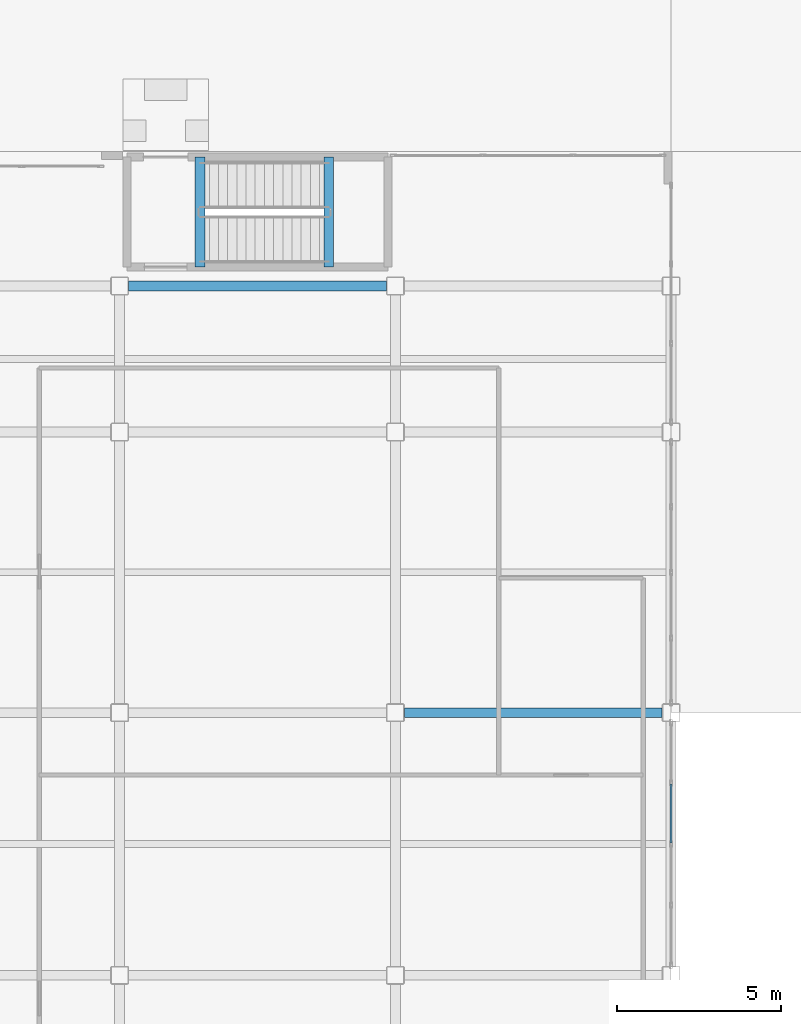
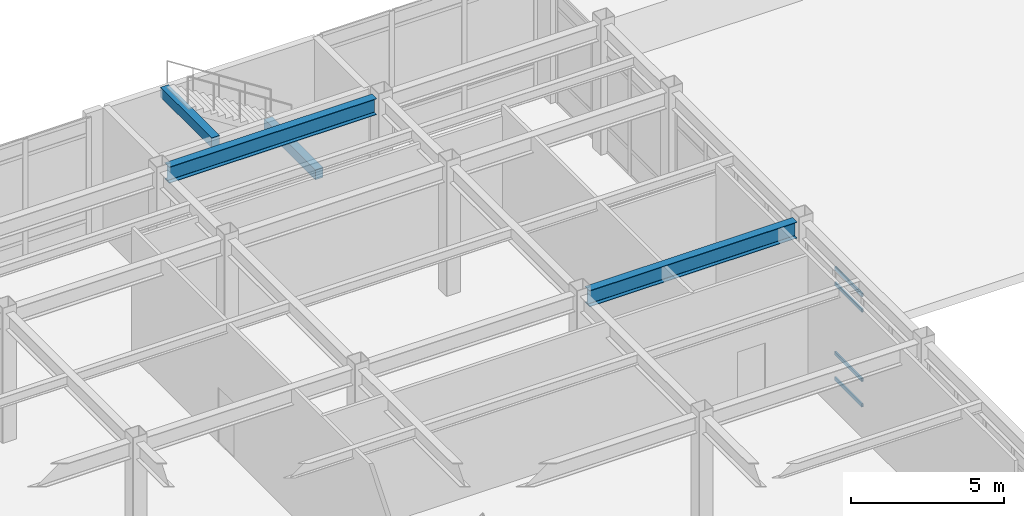
# One storey, part 79 of 165: 4 beams, 4 members, 1 element without a shape of its own.
"""IFC4 building model written with IfcOpenShell, lengths in metres."""

from ifc_helpers import new_model, si_unit, direction, frame, origin, origin_2d, place, context, subcontext, project, spatial, rectangle, hollow_rectangle, i_section, extrude, material, layer, layer_set, material_profile, profile_set, type_object, element, aggregate, save


model = new_model("IFC4")

# Units and contexts
model_context = context("Model", 3, precision=1e-05, world=origin(), true_north=direction((0.0, 1.0)))
body_context = subcontext(model_context, "Body", "Model", "MODEL_VIEW")
ifc_project = project(units=[si_unit("LENGTHUNIT", "METRE"), si_unit("AREAUNIT", "SQUARE_METRE"), si_unit("VOLUMEUNIT", "CUBIC_METRE"), si_unit("PLANEANGLEUNIT", "RADIAN"), si_unit("MASSUNIT", "GRAM", prefix="KILO")], contexts=[model_context])

# Site, building, storey
site_placement = place(None, origin())
site = spatial("IfcSite", under=ifc_project, at=site_placement, CompositionType="ELEMENT")
building_placement = place(site_placement, origin())
building = spatial("IfcBuilding", under=site, at=building_placement, Name="Kazehara Bluff Congress Hotel", CompositionType="ELEMENT")
storey_placement = place(building_placement, origin())
storey = spatial("IfcBuildingStorey", under=building, at=storey_placement, Name="L00", CompositionType="ELEMENT", Elevation=0.0)

# Curtain wall, members
ifc_material_1 = material(Name="Anodised aluminium", Category="aluminium")
ifc_layer = layer(ifc_material_1, 0.159912109375)
ifc_layer_set = layer_set([ifc_layer], Name="Anodised aluminium")
curtain_wall_type = type_object("IfcCurtainWallType", Name="TP-CW-40", PredefinedType="NOTDEFINED", material=ifc_layer_set)
curtain_wall_placement = place(storey_placement, origin())
curtain_wall = element("IfcCurtainWall", 1, at=curtain_wall_placement, inside=storey, type_object=curtain_wall_type, Name="L00 curtain wall CW-40 CW-V3-L00-X10125-8918", PredefinedType="NOTDEFINED")
ifc_material_2 = material(Name="Anodised aluminium", Category="aluminium")
ifc_material_profile_1 = material_profile(ifc_material_2, hollow_rectangle(XDim=0.06494140625, YDim=0.139892578125, WallThickness=0.00390625, InnerFilletRadius=0.00390625, OuterFilletRadius=0.008056640625, at=origin_2d()))
ifc_profile_set_1 = profile_set([ifc_material_profile_1], Name="Anodised aluminium")
member_type = type_object("IfcMemberType", Name="TP-CWT-02", PredefinedType="USERDEFINED", material=ifc_profile_set_1)
member_1_placement = place(storey_placement, frame((101.25, 92.93505859375, 0.032470703125), z_axis=(0.0, 1.0, 0.0), x_axis=(-1.0, 0.0, 0.0)))
member_1 = element("IfcMember", 2, at=member_1_placement, type_object=member_type, Name="CW-40 transom 3.1", ObjectType="TRANSOM", PredefinedType="USERDEFINED", context=body_context, shape_type="SweptSolid", body=[
    extrude(hollow_rectangle(XDim=0.06494140625, YDim=0.139892578125, WallThickness=0.00390625, InnerFilletRadius=0.00390625, OuterFilletRadius=0.008056640625, at=origin_2d()), origin(), (0.0, 0.0, 1.0), 1.79248046875),
])
member_2_placement = place(storey_placement, frame((101.25, 92.93505859375, 1.050048828125), z_axis=(0.0, 1.0, 0.0), x_axis=(-1.0, 0.0, 0.0)))
member_2 = element("IfcMember", 3, at=member_2_placement, type_object=member_type, Name="CW-40 transom 3.2", ObjectType="TRANSOM", PredefinedType="USERDEFINED", context=body_context, shape_type="SweptSolid", body=[
    extrude(hollow_rectangle(XDim=0.06494140625, YDim=0.139892578125, WallThickness=0.00390625, InnerFilletRadius=0.00390625, OuterFilletRadius=0.008056640625, at=origin_2d()), origin(), (0.0, 0.0, 1.0), 1.79248046875),
])
member_3_placement = place(storey_placement, frame((101.25, 92.93505859375, 3.824951171875), z_axis=(0.0, 1.0, 0.0), x_axis=(-1.0, 0.0, 0.0)))
member_3 = element("IfcMember", 4, at=member_3_placement, type_object=member_type, Name="CW-40 transom 3.3", ObjectType="TRANSOM", PredefinedType="USERDEFINED", context=body_context, shape_type="SweptSolid", body=[
    extrude(hollow_rectangle(XDim=0.06494140625, YDim=0.139892578125, WallThickness=0.00390625, InnerFilletRadius=0.00390625, OuterFilletRadius=0.008056640625, at=origin_2d()), origin(), (0.0, 0.0, 1.0), 1.79248046875),
])
member_4_placement = place(storey_placement, frame((101.25, 92.93505859375, 4.4423828125), z_axis=(0.0, 1.0, 0.0), x_axis=(-1.0, 0.0, 0.0)))
member_4 = element("IfcMember", 5, at=member_4_placement, type_object=member_type, Name="CW-40 transom 3.4", ObjectType="TRANSOM", PredefinedType="USERDEFINED", context=body_context, shape_type="SweptSolid", body=[
    extrude(hollow_rectangle(XDim=0.06494140625, YDim=0.139892578125, WallThickness=0.00390625, InnerFilletRadius=0.00390625, OuterFilletRadius=0.008056640625, at=origin_2d()), origin(), (0.0, 0.0, 1.0), 1.79248046875),
])
aggregate(curtain_wall, [member_1, member_2, member_3, member_4])

# Beams
ifc_material_3 = material(Name="Steel SN490B", Category="steel")
ifc_material_profile_2 = material_profile(ifc_material_3, i_section(OverallWidth=0.300048828125, OverallDepth=0.64990234375, WebThickness=0.011962890625, FlangeThickness=0.02001953125, FilletRadius=0.012939453125, at=origin_2d()))
ifc_profile_set_2 = profile_set([ifc_material_profile_2], Name="Steel SN490B")
beam_type_1 = type_object("IfcBeamType", Name="TP-G-03", PredefinedType="BEAM", material=ifc_profile_set_2)
beam_1_placement = place(storey_placement, frame((93.125, 96.89990234375, 4.824951171875), z_axis=(1.0, 0.0, 0.0), x_axis=(0.0, 1.0, 0.0)))
element("IfcBeam", 6, at=beam_1_placement, inside=storey, type_object=beam_type_1, Name="L00 girder G-03 137", PredefinedType="BEAM", context=body_context, shape_type="SweptSolid", body=[
    extrude(i_section(OverallWidth=0.300048828125, OverallDepth=0.64990234375, WebThickness=0.011962890625, FlangeThickness=0.02001953125, FilletRadius=0.012939453125, at=origin_2d()), origin(), (0.0, 0.0, 1.0), 7.85009765625),
])
beam_2_placement = place(storey_placement, frame((84.72509765625, 109.89990234375, 4.824951171875), z_axis=(1.0, 0.0, 0.0), x_axis=(0.0, 1.0, 0.0)))
element("IfcBeam", 7, at=beam_2_placement, inside=storey, type_object=beam_type_1, Name="L00 girder G-03 146", PredefinedType="BEAM", context=body_context, shape_type="SweptSolid", body=[
    extrude(i_section(OverallWidth=0.300048828125, OverallDepth=0.64990234375, WebThickness=0.011962890625, FlangeThickness=0.02001953125, FilletRadius=0.012939453125, at=origin_2d()), origin(), (0.0, 0.0, 1.0), 7.849853515625),
])
ifc_material_4 = material(Name="Concrete C40/50", Category="concrete")
ifc_material_profile_3 = material_profile(ifc_material_4, rectangle(XDim=0.300048828125, YDim=0.39990234375, at=origin_2d()))
ifc_profile_set_3 = profile_set([ifc_material_profile_3], Name="Concrete C40/50")
beam_type_2 = type_object("IfcBeamType", Name="TP-LN-02", PredefinedType="LINTEL", material=ifc_profile_set_3)
for number, where, z_axis, x_axis, name in (
    (8, (90.820068359375, 110.47509765625, 2.320068359375), (0.0, 1.0, 0.0), (-1.0, 0.0, 0.0), "L00 ST-07 half-landing support beam 1"),
    (9, (86.89990234375, 110.47509765625, 4.969970703125), (0.0, 1.0, 0.0), (-1.0, 0.0, 0.0), "L01 ST-07 stairwell trimmer beam"),
):
    element("IfcBeam", number, at=place(storey_placement, frame(where, z_axis=z_axis, x_axis=x_axis)), inside=storey, type_object=beam_type_2, Name=name, PredefinedType="LINTEL", context=body_context, shape_type="SweptSolid", body=[
        extrude(rectangle(XDim=0.300048828125, YDim=0.39990234375, at=origin_2d()), origin(), (0.0, 0.0, 1.0), 3.349853515625),
    ])

save(model, "model.ifc")
